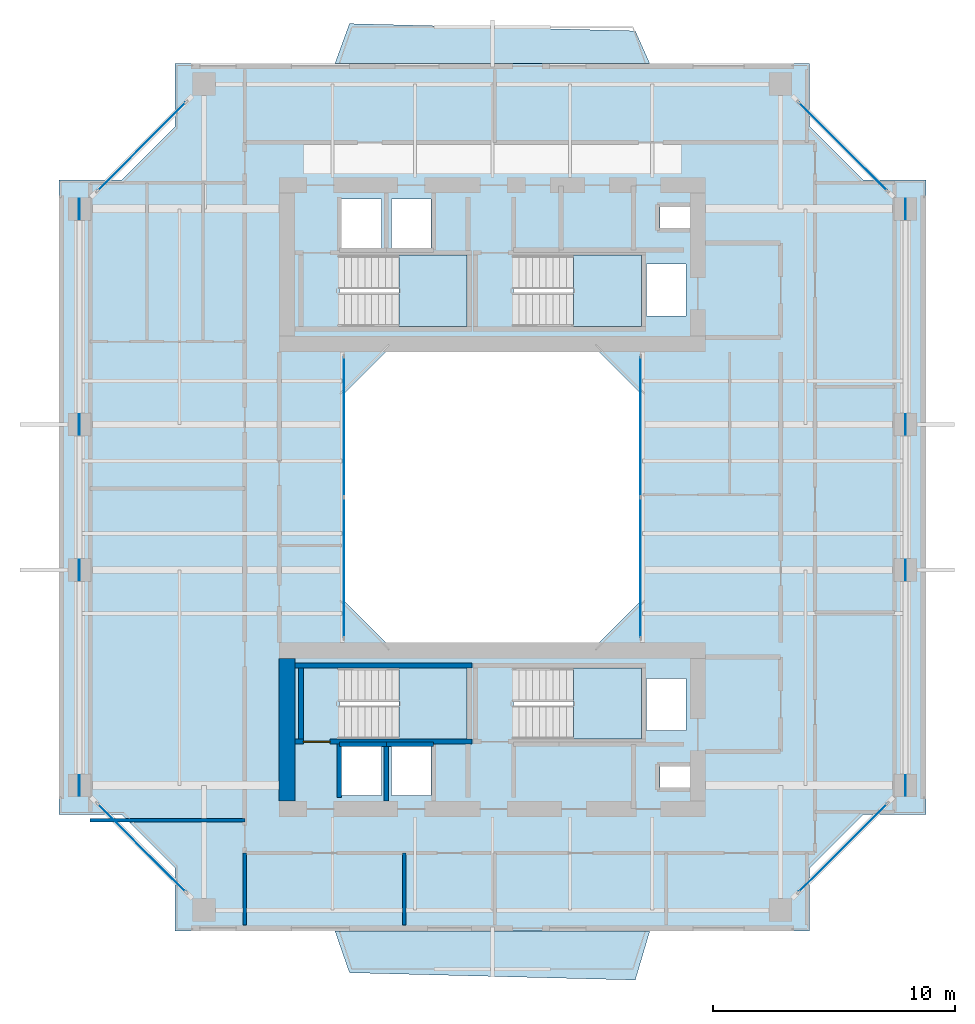
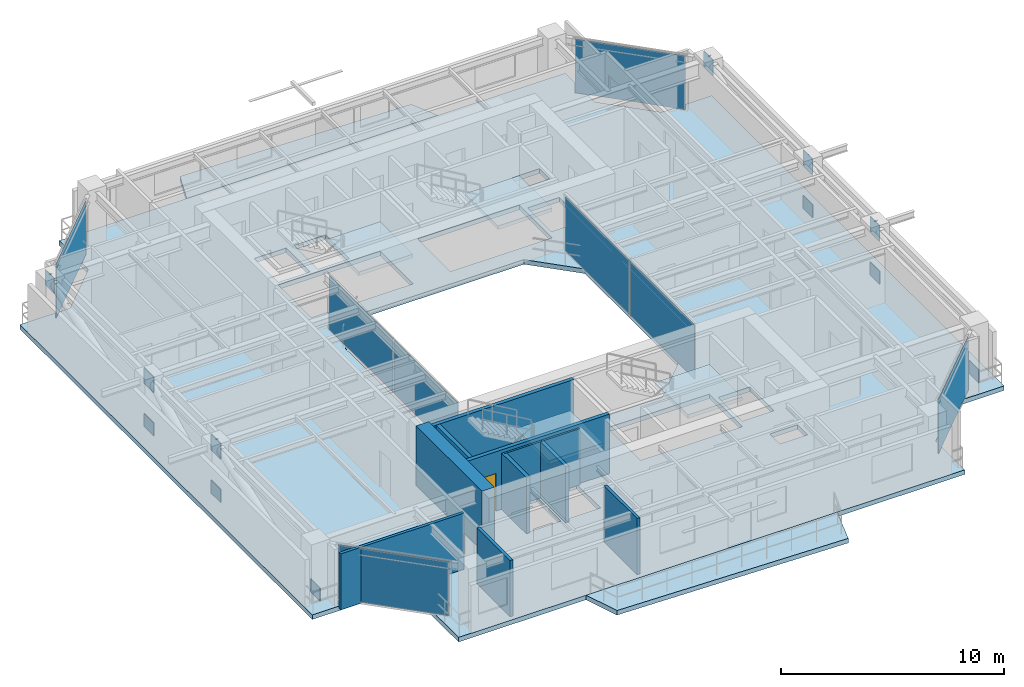
# One storey, part 7 of 14: 20 plates, 11 walls, 7 slabs, 1 door, 1 opening, 10 elements without a shape of their own.
"""IFC4 building model written with IfcOpenShell, lengths in metres."""

import ifcopenshell
import ifcopenshell.guid

model = None  # the IFC model being written
_history = None  # IfcOwnerHistory: only IFC2X3 demands one
_inside = {}  # id of a spatial element -> (the spatial element, [elements in it])
_under = {}  # id of a project, library or spatial element -> (it, [spatial elements below it])
_declared = {}  # id of a project -> (the project, [libraries it declares])
_typed = {}  # id of a type object -> (the type object, [elements of that type])
_made_of = {}  # id of a material, layer set ... -> (it, [elements and type objects made of it])


def new_model(schema):
    """Start an empty IFC model of exactly this schema.

    Asked for "IFC4X3", IfcOpenShell would pick the latest addendum, in which some entities
    have other attributes; the version numbers below select the first issue.
    IFC2X3 requires an IfcOwnerHistory on every rooted entity: one is made here for all.
    """
    global model, _history
    if schema == "IFC4X3":
        model = ifcopenshell.file(schema_version=(4, 3, 0, 0))
    else:
        model = ifcopenshell.file(schema=schema)
    _inside.clear()
    _under.clear()
    _declared.clear()
    _typed.clear()
    _made_of.clear()
    _history = None
    if model.schema == "IFC2X3":
        org = make("IfcOrganization", Name="unknown")
        user = make(
            "IfcPersonAndOrganization",
            ThePerson=make("IfcPerson", FamilyName="unknown"),
            TheOrganization=org,
        )
        app = make(
            "IfcApplication",
            ApplicationDeveloper=org,
            Version="unknown",
            ApplicationFullName="unknown",
            ApplicationIdentifier="unknown",
        )
        _history = make(
            "IfcOwnerHistory",
            OwningUser=user,
            OwningApplication=app,
            ChangeAction="ADDED",
            CreationDate=0,
        )
    return model


def make(cls, **values):
    """One entity of the class cls with the attributes given. An attribute that is None is left unset."""
    return model.create_entity(
        cls, **{name: value for name, value in values.items() if value is not None}
    )


def rooted(cls, **values):
    """An entity with a GlobalId (a new one), such as an element, a storey or a relation."""
    return make(cls, GlobalId=ifcopenshell.guid.new(), OwnerHistory=_history, **values)


def si_unit(unit_type, name, prefix=None):
    """IfcSIUnit, for example si_unit("LENGTHUNIT", "METRE", prefix="MILLI")."""
    return make("IfcSIUnit", UnitType=unit_type, Prefix=prefix, Name=name)


def assignment(units):
    """IfcUnitAssignment: the units of a project."""
    return None if units is None else make("IfcUnitAssignment", Units=units)


def point(xyz):
    """IfcCartesianPoint."""
    return None if xyz is None else make("IfcCartesianPoint", Coordinates=xyz)


def direction(xyz):
    """IfcDirection."""
    return None if xyz is None else make("IfcDirection", DirectionRatios=xyz)


def frame(location, z_axis=None, x_axis=None):
    """IfcAxis2Placement3D, a coordinate frame: its origin and axes. An axis left out is left unset."""
    return make(
        "IfcAxis2Placement3D",
        Location=point(location),
        Axis=direction(z_axis),
        RefDirection=direction(x_axis),
    )


def frame_2d(location, x_axis=None):
    """IfcAxis2Placement2D, a coordinate frame in the plane: its origin and x axis."""
    return make(
        "IfcAxis2Placement2D", Location=point(location), RefDirection=direction(x_axis)
    )


def origin():
    """The frame at (0, 0, 0) with its axes left unset."""
    return frame((0.0, 0.0, 0.0))


def origin_2d():
    """The frame at (0, 0) in the plane with its x axis left unset."""
    return frame_2d((0.0, 0.0))


def place(relative_to, where):
    """IfcLocalPlacement: puts the frame where relative to a parent placement (None: the world)."""
    return make(
        "IfcLocalPlacement", PlacementRelTo=relative_to, RelativePlacement=where
    )


def context(
    kind, dimensions, precision=None, world=None, true_north=None, identifier=None
):
    """IfcGeometricRepresentationContext, for example the 3D "Model" context."""
    return make(
        "IfcGeometricRepresentationContext",
        ContextIdentifier=identifier,
        ContextType=kind,
        CoordinateSpaceDimension=dimensions,
        Precision=precision,
        WorldCoordinateSystem=world,
        TrueNorth=true_north,
    )


def subcontext(parent, identifier, kind, view, scale=None):
    """IfcGeometricRepresentationSubContext, for example "Body" below "Model"."""
    return make(
        "IfcGeometricRepresentationSubContext",
        ContextIdentifier=identifier,
        ContextType=kind,
        ParentContext=parent,
        TargetScale=scale,
        TargetView=view,
    )


def project(units=None, contexts=None):
    """IfcProject with its units and contexts."""
    return rooted(
        "IfcProject",
        Name="project",
        RepresentationContexts=contexts,
        UnitsInContext=assignment(units),
    )


def spatial(cls, under=None, at=None, **own):
    """A site, building, storey or space (cls), placed at a placement, below another one or the project."""
    s = rooted(cls, ObjectPlacement=at, **own)
    if under is not None:
        _under.setdefault(under.id(), (under, []))[1].append(s)
    return s


def polyline(points):
    """IfcPolyline through the points."""
    return make("IfcPolyline", Points=[point(p) for p in points])


def profile(cls, at=None, kind="AREA", **sizes):
    """A parametric profile (cls). Its sizes go by their IFC names, for example OverallWidth=200.0."""
    return make(cls, ProfileType=kind, Position=at, **sizes)


def rectangle(**sizes):
    """IfcRectangleProfileDef."""
    return profile("IfcRectangleProfileDef", **sizes)


def outline(outer, holes=None, kind="AREA"):
    """IfcArbitraryClosedProfileDef: a profile drawn as a closed curve; with holes, ...WithVoids."""
    if holes is None:
        return make("IfcArbitraryClosedProfileDef", ProfileType=kind, OuterCurve=outer)
    return make(
        "IfcArbitraryProfileDefWithVoids",
        ProfileType=kind,
        OuterCurve=outer,
        InnerCurves=holes,
    )


def extrude(swept, where, along, depth):
    """IfcExtrudedAreaSolid: the profile swept, set in the frame where, extruded along a direction by depth."""
    return make(
        "IfcExtrudedAreaSolid",
        SweptArea=swept,
        Position=where,
        ExtrudedDirection=direction(along),
        Depth=depth,
    )


def shape(context_of_items, identifier, shape_type, items):
    """IfcShapeRepresentation: the items that make up one representation, for example the "Body"."""
    return make(
        "IfcShapeRepresentation",
        ContextOfItems=context_of_items,
        RepresentationIdentifier=identifier,
        RepresentationType=shape_type,
        Items=items,
    )


def source(mapping_origin, context_of_items, identifier, shape_type, items):
    """IfcRepresentationMap: a shape defined once, which mapped items show again and again."""
    return make(
        "IfcRepresentationMap",
        MappingOrigin=mapping_origin,
        MappedRepresentation=shape(context_of_items, identifier, shape_type, items),
    )


def transform(
    local_origin,
    x_axis=None,
    y_axis=None,
    z_axis=None,
    scale=None,
    scale2=None,
    scale3=None,
    uniform=True,
):
    """IfcCartesianTransformationOperator3D, or its non-uniform kind. x_axis, y_axis, z_axis: its Axis1, 2, 3."""
    if uniform:
        return make(
            "IfcCartesianTransformationOperator3D",
            Axis1=direction(x_axis),
            Axis2=direction(y_axis),
            LocalOrigin=point(local_origin),
            Scale=scale,
            Axis3=direction(z_axis),
        )
    return make(
        "IfcCartesianTransformationOperator3DnonUniform",
        Axis1=direction(x_axis),
        Axis2=direction(y_axis),
        LocalOrigin=point(local_origin),
        Scale=scale,
        Axis3=direction(z_axis),
        Scale2=scale2,
        Scale3=scale3,
    )


def mapped(mapping_source, mapping_target):
    """IfcMappedItem: shows the shape of a source again, moved by a transform."""
    return make(
        "IfcMappedItem", MappingSource=mapping_source, MappingTarget=mapping_target
    )


def material(Name=None, Category=None):
    """IfcMaterial."""
    return make("IfcMaterial", Name=Name, Category=Category)


def layer(
    of_material, thickness, ventilated=None, Name=None, Category=None, Priority=None
):
    """IfcMaterialLayer: one layer of a wall or slab, of a material (None: an air gap)."""
    return make(
        "IfcMaterialLayer",
        Material=of_material,
        LayerThickness=thickness,
        IsVentilated=ventilated,
        Name=Name,
        Category=Category,
        Priority=Priority,
    )


def layer_set(layers, Name=None):
    """IfcMaterialLayerSet."""
    return make("IfcMaterialLayerSet", MaterialLayers=layers, LayerSetName=Name)


def made_of(thing, what):
    """Note that an element or type object is made of a material, layer set ...; save() writes the relation."""
    if what is not None:
        _made_of.setdefault(what.id(), (what, []))[1].append(thing)
    return thing


def type_object(cls, material=None, **own):
    """A type object (cls), such as IfcWallType, which elements share."""
    return made_of(rooted(cls, **own), material)


def element(
    cls,
    number,
    at=None,
    inside=None,
    cuts=None,
    type_object=None,
    material=None,
    context=None,
    identifier="Body",
    shape_type=None,
    held_by="IfcProductDefinitionShape",
    body=None,
    shapes=None,
    **own,
):
    """One element of the class cls, such as IfcWall. Its Tag is "e" and its number.

    at: its placement. inside: the storey or other place that contains it. cuts: it is an
    opening in that element (IfcRelVoidsElement). A single representation is given by context,
    identifier, shape_type and body (its items); several are given by shapes. held_by: the class
    of the entity that holds the representations. save() writes the other relations.
    """
    e = rooted(cls, Tag="e%d" % number, ObjectPlacement=at, **own)
    if body is not None:
        shapes = [shape(context, identifier, shape_type, body)]
    if shapes is not None:
        e.Representation = make(held_by, Representations=shapes)
    if inside is not None:
        _inside.setdefault(inside.id(), (inside, []))[1].append(e)
    if cuts is not None:
        rooted(
            "IfcRelVoidsElement", RelatingBuildingElement=cuts, RelatedOpeningElement=e
        )
    if type_object is not None:
        _typed.setdefault(type_object.id(), (type_object, []))[1].append(e)
    return made_of(e, material)


def fill(opening, filler):
    """IfcRelFillsElement: the door or window that sits in an opening."""
    return rooted(
        "IfcRelFillsElement",
        RelatingOpeningElement=opening,
        RelatedBuildingElement=filler,
    )


def aggregate(whole, parts):
    """IfcRelAggregates: a whole, such as a stair, and the parts it consists of."""
    return rooted("IfcRelAggregates", RelatingObject=whole, RelatedObjects=parts)


def save(model, path):
    """Write the relations noted so far, then the file.

    IfcRelAggregates (storeys below a building ...), IfcRelContainedInSpatialStructure (elements
    in a storey), IfcRelDefinesByType, IfcRelAssociatesMaterial and IfcRelDeclares: one each for
    every whole, place, type object, material and project.
    """
    for whole, parts in _under.values():
        aggregate(whole, parts)
    for where, things in _inside.values():
        rooted(
            "IfcRelContainedInSpatialStructure",
            RelatedElements=things,
            RelatingStructure=where,
        )
    for kind, things in _typed.values():
        rooted("IfcRelDefinesByType", RelatedObjects=things, RelatingType=kind)
    for what, things in _made_of.values():
        rooted("IfcRelAssociatesMaterial", RelatedObjects=things, RelatingMaterial=what)
    for by, libraries in _declared.values():
        rooted("IfcRelDeclares", RelatingContext=by, RelatedDefinitions=libraries)
    model.write(path)


model = new_model("IFC4")

# Units and contexts
model_context = context("Model", 3, precision=1e-05, world=origin(), true_north=direction((0.0, 1.0)))
body_context = subcontext(model_context, "Body", "Model", "MODEL_VIEW")
ifc_project = project(units=[si_unit("LENGTHUNIT", "METRE"), si_unit("AREAUNIT", "SQUARE_METRE"), si_unit("VOLUMEUNIT", "CUBIC_METRE"), si_unit("PLANEANGLEUNIT", "RADIAN"), si_unit("MASSUNIT", "GRAM", prefix="KILO"), si_unit("THERMODYNAMICTEMPERATUREUNIT", "KELVIN"), si_unit("POWERUNIT", "WATT")], contexts=[model_context])

# Site, building, storey
site_placement = place(None, origin())
site = spatial("IfcSite", under=ifc_project, at=site_placement, CompositionType="ELEMENT")
building_placement = place(site_placement, origin())
building = spatial("IfcBuilding", under=site, at=building_placement, Name="Qiaomeng Ring Towers", CompositionType="ELEMENT")
storey_placement = place(building_placement, frame((0.0, 0.0, 176.25)))
storey = spatial("IfcBuildingStorey", under=building, at=storey_placement, Name="L51", CompositionType="ELEMENT", Elevation=176.25)

# Slabs
ifc_material_1 = material(Name="Concrete C40", Category="concrete")
ifc_layer_1 = layer(ifc_material_1, 0.25, Name="Concrete C40")
ifc_layer_set_1 = layer_set([ifc_layer_1], Name="Concrete C40")
slab_type_1 = type_object("IfcSlabType", Name="STR-SL-250", PredefinedType="FLOOR", material=ifc_layer_set_1)
slab_1_placement = place(storey_placement, frame((0.0, 0.0, -0.25)))
element("IfcSlab", 1, at=slab_1_placement, inside=storey, type_object=slab_type_1, Name="L51 Tower 1 Annular Floor Slab", PredefinedType="FLOOR", context=body_context, shape_type="SweptSolid", body=[
    extrude(outline(polyline([(5.89990234375, 5.10009765625), (32.10009765625, 5.10009765625), (32.10009765625, 7.699951171875), (34.300048828125, 9.89990234375), (36.89990234375, 9.89990234375), (36.89990234375, 36.10009765625), (34.300048828125, 36.10009765625), (32.10009765625, 38.300048828125), (32.10009765625, 40.89990234375), (5.89990234375, 40.89990234375), (5.89990234375, 38.300048828125), (3.699951171875, 36.10009765625), (1.10009765625, 36.10009765625), (1.10009765625, 9.89990234375), (3.699951171875, 9.89990234375), (5.89990234375, 7.699951171875), (5.89990234375, 5.10009765625)]), holes=[polyline([(12.780029296875, 10.679931640625), (12.780029296875, 12.820068359375), (14.419921875, 12.820068359375), (14.419921875, 10.679931640625), (12.780029296875, 10.679931640625)]), polyline([(14.830078125, 12.820068359375), (16.469970703125, 12.820068359375), (16.469970703125, 10.679931640625), (14.830078125, 10.679931640625), (14.830078125, 12.820068359375)]), polyline([(12.679931640625, 15.949951171875), (17.949951171875, 15.949951171875), (17.949951171875, 13.010009765625), (12.679931640625, 13.010009765625), (12.679931640625, 15.949951171875)]), polyline([(23.199951171875, 29.199951171875), (25.199951171875, 27.199951171875), (25.199951171875, 18.800048828125), (23.199951171875, 16.800048828125), (14.800048828125, 16.800048828125), (12.800048828125, 18.800048828125), (12.800048828125, 27.199951171875), (14.800048828125, 29.199951171875), (23.199951171875, 29.199951171875)]), polyline([(12.679931640625, 32.989990234375), (17.949951171875, 32.989990234375), (17.949951171875, 30.050048828125), (12.679931640625, 30.050048828125), (12.679931640625, 32.989990234375)]), polyline([(12.780029296875, 35.320068359375), (14.419921875, 35.320068359375), (14.419921875, 33.179931640625), (12.780029296875, 33.179931640625), (12.780029296875, 35.320068359375)]), polyline([(14.830078125, 33.179931640625), (14.830078125, 35.320068359375), (16.469970703125, 35.320068359375), (16.469970703125, 33.179931640625), (14.830078125, 33.179931640625)]), polyline([(25.919921875, 11.89990234375), (27.360107421875, 11.89990234375), (27.360107421875, 11.0), (25.919921875, 11.0), (25.919921875, 11.89990234375)]), polyline([(25.360107421875, 15.52001953125), (27.0, 15.52001953125), (27.0, 13.3798828125), (25.360107421875, 13.3798828125), (25.360107421875, 15.52001953125)]), polyline([(19.8798828125, 15.949951171875), (25.14990234375, 15.949951171875), (25.14990234375, 13.010009765625), (19.8798828125, 13.010009765625), (19.8798828125, 15.949951171875)]), polyline([(19.8798828125, 32.989990234375), (25.14990234375, 32.989990234375), (25.14990234375, 30.050048828125), (19.8798828125, 30.050048828125), (19.8798828125, 32.989990234375)]), polyline([(25.360107421875, 32.6201171875), (27.0, 32.6201171875), (27.0, 30.47998046875), (25.360107421875, 30.47998046875), (25.360107421875, 32.6201171875)]), polyline([(25.919921875, 35.0), (27.360107421875, 35.0), (27.360107421875, 34.10009765625), (25.919921875, 34.10009765625), (25.919921875, 35.0)])]), origin(), (0.0, 0.0, 1.0), 0.25),
])
ifc_layer_2 = layer(ifc_material_1, 0.25, Name="Concrete C40")
ifc_layer_set_2 = layer_set([ifc_layer_2], Name="Concrete C40")
slab_type_2 = type_object("IfcSlabType", Name="STR-SL-BAL250", PredefinedType="FLOOR", material=ifc_layer_set_2)
slab_2_placement = place(storey_placement, frame((0.0, 0.0, -0.25)))
element("IfcSlab", 2, at=slab_2_placement, inside=storey, type_object=slab_type_2, Name="L51 Tower 1 S Faceted Balcony Slab", PredefinedType="FLOOR", context=body_context, shape_type="SweptSolid", body=[
    extrude(outline(polyline([(24.89990234375, 3.070068359375), (13.10009765625, 3.3701171875), (12.5, 5.10009765625), (25.5, 5.10009765625), (24.89990234375, 3.070068359375)])), origin(), (0.0, 0.0, 1.0), 0.25),
])
slab_3_placement = place(storey_placement, frame((0.0, 0.0, -0.25)))
element("IfcSlab", 3, at=slab_3_placement, inside=storey, type_object=slab_type_2, Name="L51 Tower 1 N Faceted Balcony Slab", PredefinedType="FLOOR", context=body_context, shape_type="SweptSolid", body=[
    extrude(outline(polyline([(12.5, 40.89990234375), (13.10009765625, 42.550048828125), (24.89990234375, 42.25), (25.5, 40.89990234375), (12.5, 40.89990234375)])), origin(), (0.0, 0.0, 1.0), 0.25),
])

# Stair, slab
ifc_material_2 = material(Name="Precast concrete C40", Category="concrete")
stair_type = type_object("IfcStairType", Name="ARC-ST-325", PredefinedType="HALF_TURN_STAIR", material=ifc_material_2)
stair_1_placement = place(storey_placement, origin())
stair_1 = element("IfcStair", 4, at=stair_1_placement, inside=storey, type_object=stair_type, Name="L51 Tower 1 North Stair 1", PredefinedType="HALF_TURN_STAIR")
ifc_layer_3 = layer(ifc_material_1, 0.199951171875, Name="Concrete C40")
ifc_layer_set_3 = layer_set([ifc_layer_3], Name="Concrete C40")
slab_type_3 = type_object("IfcSlabType", Name="STR-SL-LANDING", PredefinedType="LANDING", material=ifc_layer_set_3)
slab_4_placement = place(storey_placement, frame((0.0, 0.0, 1.425048828125)))
slab_4 = element("IfcSlab", 5, at=slab_4_placement, type_object=slab_type_3, Name="ST1 landing 1", PredefinedType="LANDING", context=body_context, shape_type="SweptSolid", body=[
    extrude(outline(polyline([(15.139892578125, 30.050048828125), (17.949951171875, 30.050048828125), (17.949951171875, 32.989990234375), (15.139892578125, 32.989990234375), (15.139892578125, 30.050048828125)])), origin(), (0.0, 0.0, 1.0), 0.199951171875),
])
aggregate(stair_1, [slab_4])

stair_2_placement = place(storey_placement, origin())
stair_2 = element("IfcStair", 6, at=stair_2_placement, inside=storey, type_object=stair_type, Name="L51 Tower 1 North Stair 2", PredefinedType="HALF_TURN_STAIR")
slab_5_placement = place(storey_placement, frame((0.0, 0.0, 1.425048828125)))
slab_5 = element("IfcSlab", 7, at=slab_5_placement, type_object=slab_type_3, Name="ST2 landing 1", PredefinedType="LANDING", context=body_context, shape_type="SweptSolid", body=[
    extrude(outline(polyline([(22.340087890625, 30.050048828125), (25.14990234375, 30.050048828125), (25.14990234375, 32.989990234375), (22.340087890625, 32.989990234375), (22.340087890625, 30.050048828125)])), origin(), (0.0, 0.0, 1.0), 0.199951171875),
])
aggregate(stair_2, [slab_5])

stair_3_placement = place(storey_placement, origin())
stair_3 = element("IfcStair", 8, at=stair_3_placement, inside=storey, type_object=stair_type, Name="L51 Tower 1 South Stair 3", PredefinedType="HALF_TURN_STAIR")
slab_6_placement = place(storey_placement, frame((0.0, 0.0, 1.425048828125)))
slab_6 = element("IfcSlab", 9, at=slab_6_placement, type_object=slab_type_3, Name="ST3 landing 1", PredefinedType="LANDING", context=body_context, shape_type="SweptSolid", body=[
    extrude(outline(polyline([(15.139892578125, 13.010009765625), (17.949951171875, 13.010009765625), (17.949951171875, 15.949951171875), (15.139892578125, 15.949951171875), (15.139892578125, 13.010009765625)])), origin(), (0.0, 0.0, 1.0), 0.199951171875),
])
aggregate(stair_3, [slab_6])

stair_4_placement = place(storey_placement, origin())
stair_4 = element("IfcStair", 10, at=stair_4_placement, inside=storey, type_object=stair_type, Name="L51 Tower 1 South Stair 4", PredefinedType="HALF_TURN_STAIR")
slab_7_placement = place(storey_placement, frame((0.0, 0.0, 1.425048828125)))
slab_7 = element("IfcSlab", 11, at=slab_7_placement, type_object=slab_type_3, Name="ST4 landing 1", PredefinedType="LANDING", context=body_context, shape_type="SweptSolid", body=[
    extrude(outline(polyline([(22.340087890625, 13.010009765625), (25.14990234375, 13.010009765625), (25.14990234375, 15.949951171875), (22.340087890625, 15.949951171875), (22.340087890625, 13.010009765625)])), origin(), (0.0, 0.0, 1.0), 0.199951171875),
])
aggregate(stair_4, [slab_7])

# Plates
ifc_material_3 = material(Name="Steel Q390GJC", Category="steel")
ifc_layer_4 = layer(ifc_material_3, 0.031982421875, Name="Steel Q390GJC")
ifc_layer_set_4 = layer_set([ifc_layer_4], Name="Steel Q390GJC")
plate_type_1 = type_object("IfcPlateType", Name="STR-PL-GUSSET", PredefinedType="USERDEFINED", material=ifc_layer_set_4)
shared_shape_1 = source(origin(), body_context, "Body", "SweptSolid", [
    extrude(rectangle(XDim=0.031982421875, YDim=0.85009765625, at=origin_2d()), origin(), (0.0, 0.0, 1.0), 0.85009765625),
])
for number, where, z_axis, x_axis, name in (
    (12, (1.949951171875, 11.10009765625, -0.14501953125), (0.0, 0.0, 1.0), (1.0, 0.0, 0.0), "L51 Portal Truss Bottom Gusset Plate W-0"),
    (13, (1.949951171875, 20.0, 2.364990234375), (0.0, 0.0, 1.0), (1.0, 0.0, 0.0), "L51 Portal Truss Top Gusset Plate W-0"),
    (14, (1.949951171875, 20.0, -0.14501953125), (0.0, 0.0, 1.0), (1.0, 0.0, 0.0), "L51 Portal Truss Bottom Gusset Plate W-1"),
    (15, (1.949951171875, 26.0, 2.364990234375), (0.0, 0.0, 1.0), (1.0, 0.0, 0.0), "L51 Portal Truss Top Gusset Plate W-1"),
    (16, (1.949951171875, 26.0, -0.14501953125), (0.0, 0.0, 1.0), (1.0, 0.0, 0.0), "L51 Portal Truss Bottom Gusset Plate W-2"),
    (17, (1.949951171875, 34.89990234375, 2.364990234375), (0.0, 0.0, 1.0), (1.0, 0.0, 0.0), "L51 Portal Truss Top Gusset Plate W-2"),
    (18, (36.050048828125, 11.10009765625, -0.14501953125), (0.0, 0.0, 1.0), (1.0, 0.0, 0.0), "L51 Portal Truss Bottom Gusset Plate E-0"),
    (19, (36.050048828125, 20.0, 2.364990234375), (0.0, 0.0, 1.0), (1.0, 0.0, 0.0), "L51 Portal Truss Top Gusset Plate E-0"),
    (20, (36.050048828125, 20.0, -0.14501953125), (0.0, 0.0, 1.0), (1.0, 0.0, 0.0), "L51 Portal Truss Bottom Gusset Plate E-1"),
    (21, (36.050048828125, 26.0, 2.364990234375), (0.0, 0.0, 1.0), (1.0, 0.0, 0.0), "L51 Portal Truss Top Gusset Plate E-1"),
    (22, (36.050048828125, 26.0, -0.14501953125), (0.0, 0.0, 1.0), (1.0, 0.0, 0.0), "L51 Portal Truss Bottom Gusset Plate E-2"),
    (23, (36.050048828125, 34.89990234375, 2.364990234375), (0.0, 0.0, 1.0), (1.0, 0.0, 0.0), "L51 Portal Truss Top Gusset Plate E-2"),
):
    element("IfcPlate", number, at=place(storey_placement, frame(where, z_axis=z_axis, x_axis=x_axis)), inside=storey, type_object=plate_type_1, Name=name, ObjectType="GUSSET PLATE", PredefinedType="USERDEFINED", context=body_context, shape_type="MappedRepresentation", body=[
        mapped(shared_shape_1, transform((0.0, 0.0, 0.0), x_axis=(1.0, 0.0, 0.0), y_axis=(0.0, 1.0, 0.0), z_axis=(0.0, 0.0, 1.0), scale=1.0)),
    ])

# Curtain wall, plates
ifc_material_4 = material(Name="Fluorocarbon dark-grey aluminium", Category="aluminium")
ifc_layer_5 = layer(ifc_material_4, 0.139892578125, Name="Fluorocarbon dark-grey aluminium")
ifc_layer_set_5 = layer_set([ifc_layer_5], Name="Fluorocarbon dark-grey aluminium")
curtain_wall_type_1 = type_object("IfcCurtainWallType", Name="ARC-CW-4", PredefinedType="NOTDEFINED", material=ifc_layer_set_5)
curtain_wall_1_placement = place(storey_placement, origin())
curtain_wall_1 = element("IfcCurtainWall", 24, at=curtain_wall_1_placement, inside=storey, type_object=curtain_wall_type_1, Name="L51 Curtain Wall CW4", PredefinedType="NOTDEFINED")
ifc_material_5 = material(Name="Low-E dark-grey laminated double glazing", Category="glass")
ifc_layer_6 = layer(ifc_material_5, 0.028076171875, Name="Low-E dark-grey laminated double glazing")
ifc_layer_set_6 = layer_set([ifc_layer_6], Name="Low-E dark-grey laminated double glazing")
plate_type_2 = type_object("IfcPlateType", Name="ARC-CWP-DARK", PredefinedType="CURTAIN_PANEL", material=ifc_layer_set_6)
shared_shape_2 = source(origin(), body_context, "Body", "SweptSolid", [
    extrude(rectangle(XDim=5.75244140625, YDim=0.028076171875, at=origin_2d()), origin(), (0.0, 0.0, 1.0), 2.93994140625),
])
plate_1_placement = place(storey_placement, frame((12.8798828125, 20.09130859375, 0.06494140625), z_axis=(0.0, 0.0, 1.0), x_axis=(0.0, 1.0, 0.0)))
plate_1 = element("IfcPlate", 25, at=plate_1_placement, type_object=plate_type_2, Name="CW4 panel 1.1", PredefinedType="CURTAIN_PANEL", context=body_context, shape_type="MappedRepresentation", body=[
    mapped(shared_shape_2, transform((0.0, 0.0, 0.0), x_axis=(1.0, 0.0, 0.0), y_axis=(0.0, 1.0, 0.0), z_axis=(0.0, 0.0, 1.0), scale=1.0)),
])
plate_2_placement = place(storey_placement, frame((12.8798828125, 25.90869140625, 0.06494140625), z_axis=(0.0, 0.0, 1.0), x_axis=(0.0, 1.0, 0.0)))
plate_2 = element("IfcPlate", 26, at=plate_2_placement, type_object=plate_type_2, Name="CW4 panel 2.1", PredefinedType="CURTAIN_PANEL", context=body_context, shape_type="MappedRepresentation", body=[
    mapped(shared_shape_2, transform((0.0, 0.0, 0.0), x_axis=(1.0, 0.0, 0.0), y_axis=(0.0, 1.0, 0.0), z_axis=(0.0, 0.0, 1.0), scale=1.0)),
])
aggregate(curtain_wall_1, [plate_1, plate_2])

curtain_wall_2_placement = place(storey_placement, origin())
curtain_wall_2 = element("IfcCurtainWall", 27, at=curtain_wall_2_placement, inside=storey, type_object=curtain_wall_type_1, Name="L51 Curtain Wall CW4", PredefinedType="NOTDEFINED")
plate_3_placement = place(storey_placement, frame((25.1201171875, 20.09130859375, 0.06494140625), z_axis=(0.0, 0.0, 1.0), x_axis=(0.0, 1.0, 0.0)))
plate_3 = element("IfcPlate", 28, at=plate_3_placement, type_object=plate_type_2, Name="CW4 panel 1.1", PredefinedType="CURTAIN_PANEL", context=body_context, shape_type="MappedRepresentation", body=[
    mapped(shared_shape_2, transform((0.0, 0.0, 0.0), x_axis=(1.0, 0.0, 0.0), y_axis=(0.0, 1.0, 0.0), z_axis=(0.0, 0.0, 1.0), scale=1.0)),
])
plate_4_placement = place(storey_placement, frame((25.1201171875, 25.90869140625, 0.06494140625), z_axis=(0.0, 0.0, 1.0), x_axis=(0.0, 1.0, 0.0)))
plate_4 = element("IfcPlate", 29, at=plate_4_placement, type_object=plate_type_2, Name="CW4 panel 2.1", PredefinedType="CURTAIN_PANEL", context=body_context, shape_type="MappedRepresentation", body=[
    mapped(shared_shape_2, transform((0.0, 0.0, 0.0), x_axis=(1.0, 0.0, 0.0), y_axis=(0.0, 1.0, 0.0), z_axis=(0.0, 0.0, 1.0), scale=1.0)),
])
aggregate(curtain_wall_2, [plate_3, plate_4])

# Curtain wall, plate
ifc_layer_7 = layer(ifc_material_4, 0.14990234375, Name="Fluorocarbon dark-grey aluminium")
ifc_layer_set_7 = layer_set([ifc_layer_7], Name="Fluorocarbon dark-grey aluminium")
curtain_wall_type_2 = type_object("IfcCurtainWallType", Name="ARC-CW-3", PredefinedType="NOTDEFINED", material=ifc_layer_set_7)
curtain_wall_3_placement = place(storey_placement, origin())
curtain_wall_3 = element("IfcCurtainWall", 30, at=curtain_wall_3_placement, inside=storey, type_object=curtain_wall_type_2, Name="L51 Curtain Wall CW3", PredefinedType="NOTDEFINED")
shared_shape_3 = source(origin(), body_context, "Body", "SweptSolid", [
    extrude(rectangle(XDim=5.120849609375, YDim=0.028076171875, at=origin_2d()), origin(), (0.0, 0.0, 1.0), 2.93994140625),
])
plate_5_placement = place(storey_placement, frame((33.47509765625, 8.52490234375, 0.06494140625), z_axis=(0.0, 0.0, 1.0), x_axis=(0.707106781187, 0.707106781187, 0.0)))
plate_5 = element("IfcPlate", 31, at=plate_5_placement, type_object=plate_type_2, Name="CW3 panel 1.1", PredefinedType="CURTAIN_PANEL", context=body_context, shape_type="MappedRepresentation", body=[
    mapped(shared_shape_3, transform((0.0, 0.0, 0.0), x_axis=(1.0, 0.0, 0.0), y_axis=(0.0, 1.0, 0.0), z_axis=(0.0, 0.0, 1.0), scale=1.0)),
])
aggregate(curtain_wall_3, [plate_5])

curtain_wall_4_placement = place(storey_placement, origin())
curtain_wall_4 = element("IfcCurtainWall", 32, at=curtain_wall_4_placement, inside=storey, type_object=curtain_wall_type_2, Name="L51 Curtain Wall CW3", PredefinedType="NOTDEFINED")
plate_6_placement = place(storey_placement, frame((33.47509765625, 37.47509765625, 0.06494140625), z_axis=(0.0, 0.0, 1.0), x_axis=(-0.707106781187, 0.707106781187, 0.0)))
plate_6 = element("IfcPlate", 33, at=plate_6_placement, type_object=plate_type_2, Name="CW3 panel 1.1", PredefinedType="CURTAIN_PANEL", context=body_context, shape_type="MappedRepresentation", body=[
    mapped(shared_shape_3, transform((0.0, 0.0, 0.0), x_axis=(1.0, 0.0, 0.0), y_axis=(0.0, 1.0, 0.0), z_axis=(0.0, 0.0, 1.0), scale=1.0)),
])
aggregate(curtain_wall_4, [plate_6])

curtain_wall_5_placement = place(storey_placement, origin())
curtain_wall_5 = element("IfcCurtainWall", 34, at=curtain_wall_5_placement, inside=storey, type_object=curtain_wall_type_2, Name="L51 Curtain Wall CW3", PredefinedType="NOTDEFINED")
plate_7_placement = place(storey_placement, frame((4.52490234375, 37.47509765625, 0.06494140625), z_axis=(0.0, 0.0, 1.0), x_axis=(-0.707106781187, -0.707106781187, 0.0)))
plate_7 = element("IfcPlate", 35, at=plate_7_placement, type_object=plate_type_2, Name="CW3 panel 1.1", PredefinedType="CURTAIN_PANEL", context=body_context, shape_type="MappedRepresentation", body=[
    mapped(shared_shape_3, transform((0.0, 0.0, 0.0), x_axis=(1.0, 0.0, 0.0), y_axis=(0.0, 1.0, 0.0), z_axis=(0.0, 0.0, 1.0), scale=1.0)),
])
aggregate(curtain_wall_5, [plate_7])

curtain_wall_6_placement = place(storey_placement, origin())
curtain_wall_6 = element("IfcCurtainWall", 36, at=curtain_wall_6_placement, inside=storey, type_object=curtain_wall_type_2, Name="L51 Curtain Wall CW3", PredefinedType="NOTDEFINED")
plate_8_placement = place(storey_placement, frame((4.52490234375, 8.52490234375, 0.06494140625), z_axis=(0.0, 0.0, 1.0), x_axis=(0.707106781187, -0.707106781187, 0.0)))
plate_8 = element("IfcPlate", 37, at=plate_8_placement, type_object=plate_type_2, Name="CW3 panel 1.1", PredefinedType="CURTAIN_PANEL", context=body_context, shape_type="MappedRepresentation", body=[
    mapped(shared_shape_3, transform((0.0, 0.0, 0.0), x_axis=(1.0, 0.0, 0.0), y_axis=(0.0, 1.0, 0.0), z_axis=(0.0, 0.0, 1.0), scale=1.0)),
])
aggregate(curtain_wall_6, [plate_8])

# Walls
ifc_material_6 = material(Name="Autoclaved aerated concrete block", Category="concrete")
ifc_layer_8 = layer(ifc_material_6, 0.199951171875, Name="Autoclaved aerated concrete block")
ifc_layer_set_8 = layer_set([ifc_layer_8], Name="Autoclaved aerated concrete block")
wall_type_1 = type_object("IfcWallType", Name="ARC-WL-PW1", PredefinedType="PARTITIONING", material=ifc_layer_set_8)
wall_1_placement = place(storey_placement, frame((12.679931640625, 10.60009765625, 0.0), z_axis=(0.0, 0.0, 1.0), x_axis=(0.0, 1.0, 0.0)))
element("IfcWall", 38, at=wall_1_placement, inside=storey, type_object=wall_type_1, Name="L51 Interior Wall PW1", PredefinedType="PARTITIONING", context=body_context, shape_type="SweptSolid", body=[
    extrude(rectangle(XDim=2.2099609375, YDim=0.199951171875, at=frame_2d((1.10498046875, 0.0))), origin(), (0.0, 0.0, 1.0), 3.070068359375),
])
ifc_material_7 = material(Name="Gypsum fireboard steel-stud partition", Category="steel")
ifc_layer_9 = layer(ifc_material_7, 0.14990234375, Name="Gypsum fireboard steel-stud partition")
ifc_layer_set_9 = layer_set([ifc_layer_9], Name="Gypsum fireboard steel-stud partition")
wall_type_2 = type_object("IfcWallType", Name="ARC-WL-PW3", PredefinedType="PARTITIONING", material=ifc_layer_set_9)
for number, where, z_axis, x_axis, name in (
    (39, (15.360107421875, 5.35009765625, 0.0), (0.0, 0.0, 1.0), (0.0, 1.0, 0.0), "L51 Interior Wall PW3"),
    (40, (8.780029296875, 5.35009765625, 0.0), (0.0, 0.0, 1.0), (0.0, 1.0, 0.0), "L51 Interior Wall PW3"),
):
    element("IfcWall", number, at=place(storey_placement, frame(where, z_axis=z_axis, x_axis=x_axis)), inside=storey, type_object=wall_type_2, Name=name, PredefinedType="PARTITIONING", context=body_context, shape_type="SweptSolid", body=[
        extrude(rectangle(XDim=2.9599609375, YDim=0.14990234375, at=frame_2d((1.47998046875, 0.0))), origin(), (0.0, 0.0, 1.0), 3.070068359375),
    ])
wall_2_placement = place(storey_placement, frame((2.39990234375, 9.669921875, 0.0), z_axis=(0.0, 0.0, 1.0), x_axis=(1.0, 0.0, 0.0)))
element("IfcWall", 41, at=wall_2_placement, inside=storey, type_object=wall_type_2, Name="L51 Interior Wall PW3", PredefinedType="PARTITIONING", context=body_context, shape_type="SweptSolid", body=[
    extrude(rectangle(XDim=6.380126953125, YDim=0.14990234375, at=frame_2d((3.18994140625, 0.0))), origin(), (0.0, 0.0, 1.0), 3.070068359375),
])
ifc_layer_10 = layer(ifc_material_1, 0.199951171875, Name="Concrete C40")
ifc_layer_set_10 = layer_set([ifc_layer_10], Name="Concrete C40")
wall_type_3 = type_object("IfcWallType", Name="STR-WL-STSHAFT", PredefinedType="SHEAR", material=ifc_layer_set_10)
wall_3_placement = place(storey_placement, frame((12.679931640625, 12.800048828125, 0.0), z_axis=(0.0, 0.0, 1.0), x_axis=(1.0, 0.0, 0.0)))
element("IfcWall", 42, at=wall_3_placement, inside=storey, type_object=wall_type_3, Name="L51 Lift LP6 Shaft Back Wall", PredefinedType="SHEAR", context=body_context, shape_type="SweptSolid", body=[
    extrude(rectangle(XDim=1.940185546875, YDim=0.179931640625, at=frame_2d((0.97021484375, 0.0))), origin(), (0.0, 0.0, 1.0), 3.070068359375),
])
wall_4_placement = place(storey_placement, frame((14.6201171875, 10.449951171875, 0.0), z_axis=(0.0, 0.0, 1.0), x_axis=(0.0, 1.0, 0.0)))
element("IfcWall", 43, at=wall_4_placement, inside=storey, type_object=wall_type_3, Name="L51 Lift LP6-LP4 Shaft Divider Wall", PredefinedType="SHEAR", context=body_context, shape_type="SweptSolid", body=[
    extrude(rectangle(XDim=2.35009765625, YDim=0.179931640625, at=frame_2d((1.175048828125, 0.0))), origin(), (0.0, 0.0, 1.0), 3.070068359375),
])
wall_5_placement = place(storey_placement, frame((14.6201171875, 12.800048828125, 0.0), z_axis=(0.0, 0.0, 1.0), x_axis=(1.0, 0.0, 0.0)))
element("IfcWall", 44, at=wall_5_placement, inside=storey, type_object=wall_type_3, Name="L51 Lift LP4 Shaft Back Wall", PredefinedType="SHEAR", context=body_context, shape_type="SweptSolid", body=[
    extrude(rectangle(XDim=1.9599609375, YDim=0.179931640625, at=frame_2d((0.97998046875, 0.0))), origin(), (0.0, 0.0, 1.0), 3.070068359375),
])

# Wall, opening, door
wall_6_placement = place(storey_placement, frame((10.85009765625, 12.909912109375, 0.0), z_axis=(0.0, 0.0, 1.0), x_axis=(1.0, 0.0, 0.0)))
wall_6 = element("IfcWall", 45, at=wall_6_placement, inside=storey, type_object=wall_type_3, Name="L51 Stair ST3 South Shaft Shear Wall", PredefinedType="SHEAR", context=body_context, shape_type="SweptSolid", body=[
    extrude(rectangle(XDim=7.2998046875, YDim=0.199951171875, at=frame_2d((3.64990234375, 0.0))), origin(), (0.0, 0.0, 1.0), 3.25),
])
opening_placement = place(wall_6_placement, frame((0.35009765625, 0.0, 0.0)))
opening = element("IfcOpeningElement", 46, at=opening_placement, cuts=wall_6, Name="Opening FD3", PredefinedType="OPENING", context=body_context, shape_type="SweptSolid", body=[
    extrude(rectangle(XDim=1.10009765625, YDim=2.050048828125, at=frame_2d((0.550048828125, 1.02490234375))), frame((0.0, 0.10986328125, 0.0), z_axis=(0.0, -1.0, 0.0), x_axis=(1.0, 0.0, 0.0)), (0.0, 0.0, 1.0), 0.219970703125),
])
ifc_material_8 = material(Name="Galvanised steel", Category="steel")
door_type = type_object("IfcDoorType", Name="ARC-DR-FD3", OperationType="NOTDEFINED", PredefinedType="DOOR", material=ifc_material_8)
shared_shape_4 = source(origin(), body_context, "Body", "SweptSolid", [
    extrude(rectangle(XDim=1.10009765625, YDim=2.050048828125, at=frame_2d((0.550048828125, 1.02490234375))), frame((0.0, 0.02490234375, 0.0), z_axis=(0.0, -1.0, 0.0), x_axis=(1.0, 0.0, 0.0)), (0.0, 0.0, 1.0), 0.050048828125),
])
door_placement = place(opening_placement, frame((1.10009765625, 0.0, 0.0), z_axis=(0.0, 0.0, 1.0), x_axis=(-1.0, 0.0, 0.0)))
door = element("IfcDoor", 47, at=door_placement, inside=storey, type_object=door_type, Name="L51 Stair ST3 Exit Door", OperationType="SINGLE_SWING_RIGHT", OverallHeight=2.050048828125, OverallWidth=1.10009765625, PredefinedType="DOOR", context=body_context, shape_type="MappedRepresentation", body=[
    mapped(shared_shape_4, transform((0.0, 0.0, 0.0), x_axis=(1.0, 0.0, 0.0), y_axis=(0.0, 1.0, 0.0), z_axis=(0.0, 0.0, 1.0), scale=1.0)),
])
fill(opening, door)

# Walls
wall_7_placement = place(storey_placement, frame((10.85009765625, 16.050048828125, 0.0), z_axis=(0.0, 0.0, 1.0), x_axis=(1.0, 0.0, 0.0)))
element("IfcWall", 48, at=wall_7_placement, inside=storey, type_object=wall_type_3, Name="L51 Stair ST3 North Shaft Shear Wall", PredefinedType="SHEAR", context=body_context, shape_type="SweptSolid", body=[
    extrude(rectangle(XDim=7.2998046875, YDim=0.199951171875, at=frame_2d((3.64990234375, 0.0))), origin(), (0.0, 0.0, 1.0), 3.25),
])
wall_8_placement = place(storey_placement, frame((11.10009765625, 13.010009765625, 0.0), z_axis=(0.0, 0.0, 1.0), x_axis=(0.0, 1.0, 0.0)))
element("IfcWall", 49, at=wall_8_placement, inside=storey, type_object=wall_type_3, Name="L51 Stair ST3 West Shaft Shear Wall", PredefinedType="SHEAR", context=body_context, shape_type="SweptSolid", body=[
    extrude(rectangle(XDim=2.93994140625, YDim=0.199951171875, at=frame_2d((1.469970703125, 0.0))), origin(), (0.0, 0.0, 1.0), 3.25),
])
ifc_material_9 = material(Name="Concrete C50", Category="concrete")
ifc_layer_11 = layer(ifc_material_9, 0.64990234375, Name="Concrete C50")
ifc_layer_set_11 = layer_set([ifc_layer_11], Name="Concrete C50")
wall_type_4 = type_object("IfcWallType", Name="STR-WL-SW2B", PredefinedType="SHEAR", material=ifc_layer_set_11)
wall_9_placement = place(storey_placement, frame((10.52490234375, 10.449951171875, 0.0), z_axis=(0.0, 0.0, 1.0), x_axis=(0.0, 1.0, 0.0)))
element("IfcWall", 50, at=wall_9_placement, inside=storey, type_object=wall_type_4, Name="L51 T1SC west core shear wall", PredefinedType="SHEAR", context=body_context, shape_type="SweptSolid", body=[
    extrude(rectangle(XDim=5.900146484375, YDim=0.64990234375, at=frame_2d((2.9501953125, 0.0))), origin(), (0.0, 0.0, 1.0), 3.25),
])

save(model, "model.ifc")
